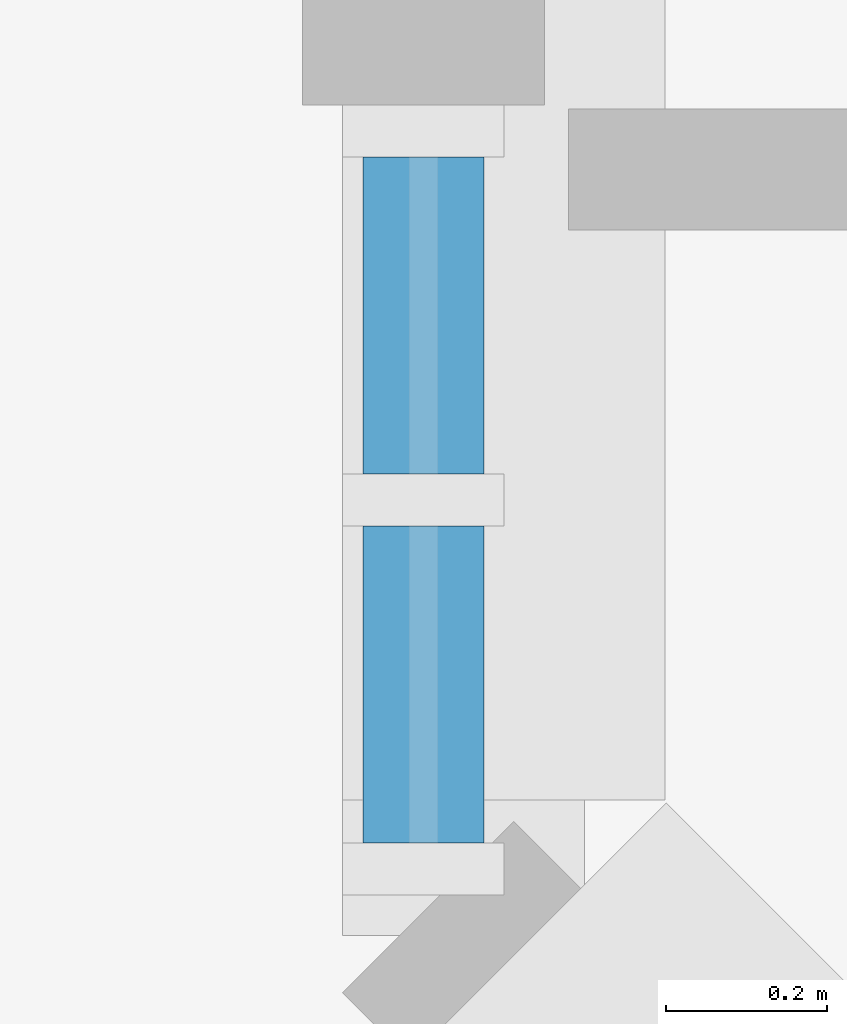
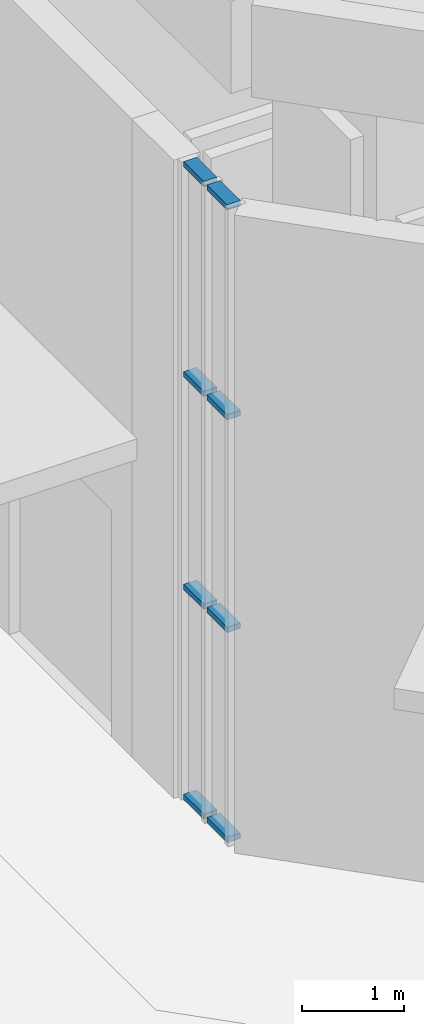
# One storey, part 10 of 51: 8 members, 1 element without a shape of its own.
"""IFC4 building model written with IfcOpenShell, lengths in metres."""

from ifc_helpers import new_model, si_unit, direction, frame, origin, origin_2d, place, context, subcontext, project, spatial, rectangle, extrude, material, material_profile, profile_set, type_object, element, aggregate, save


model = new_model("IFC4")

# Units and contexts
model_context = context("Model", 3, precision=1e-05, world=origin(), true_north=direction((0.0, 1.0)))
body_context = subcontext(model_context, "Body", "Model", "MODEL_VIEW")
ifc_project = project(units=[si_unit("LENGTHUNIT", "METRE"), si_unit("AREAUNIT", "SQUARE_METRE"), si_unit("VOLUMEUNIT", "CUBIC_METRE"), si_unit("PLANEANGLEUNIT", "RADIAN"), si_unit("MASSUNIT", "GRAM", prefix="KILO")], contexts=[model_context])

# Site, building, storey
site_placement = place(None, origin())
site = spatial("IfcSite", under=ifc_project, at=site_placement, CompositionType="ELEMENT")
building_placement = place(site_placement, origin())
building = spatial("IfcBuilding", under=site, at=building_placement, Name="Calabash Gate Tower", CompositionType="ELEMENT")
storey_placement = place(building_placement, origin())
storey = spatial("IfcBuildingStorey", under=building, at=storey_placement, Name="L00", CompositionType="ELEMENT", Elevation=0.0)

# Curtain wall, members
ifc_material_1 = material(Name="Anodised aluminium frame, bronze finish, clear laminated impact-rated glazing", Category="aluminium")
curtain_wall_type = type_object("IfcCurtainWallType", Name="Curtain wall CWF podium shopfront", PredefinedType="NOTDEFINED", material=ifc_material_1)
curtain_wall_placement = place(storey_placement, origin())
curtain_wall = element("IfcCurtainWall", 1, at=curtain_wall_placement, inside=storey, type_object=curtain_wall_type, Name="Curtain wall CWF L00 6.1.0", PredefinedType="NOTDEFINED")
ifc_material_2 = material(Name="Anodised aluminium frame, bronze finish", Category="aluminium")
ifc_material_profile = material_profile(ifc_material_2, rectangle(XDim=0.14990234375, YDim=0.06494140625, at=origin_2d()))
ifc_profile_set = profile_set([ifc_material_profile], Name="Anodised aluminium frame, bronze finish")
member_type = type_object("IfcMemberType", Name="Transom CWF 65x150", PredefinedType="USERDEFINED", material=ifc_profile_set)
member_1_placement = place(storey_placement, frame((-49.89990234375, -39.034912109375, 0.032470703125), z_axis=(0.0, -1.0, 0.0), x_axis=(1.0, 0.0, 0.0)))
member_1 = element("IfcMember", 2, at=member_1_placement, type_object=member_type, Name="CWF transom 1.1", ObjectType="TRANSOM", PredefinedType="USERDEFINED", context=body_context, shape_type="SweptSolid", body=[
    extrude(rectangle(XDim=0.14990234375, YDim=0.06494140625, at=origin_2d()), origin(), (0.0, 0.0, 1.0), 0.392578125),
])
member_2_placement = place(storey_placement, frame((-49.89990234375, -39.034912109375, 2.533447265625), z_axis=(0.0, -1.0, 0.0), x_axis=(1.0, 0.0, 0.0)))
member_2 = element("IfcMember", 3, at=member_2_placement, type_object=member_type, Name="CWF transom 1.2", ObjectType="TRANSOM", PredefinedType="USERDEFINED", context=body_context, shape_type="SweptSolid", body=[
    extrude(rectangle(XDim=0.14990234375, YDim=0.06494140625, at=origin_2d()), origin(), (0.0, 0.0, 1.0), 0.392578125),
])
member_3_placement = place(storey_placement, frame((-49.89990234375, -39.034912109375, 5.066650390625), z_axis=(0.0, -1.0, 0.0), x_axis=(1.0, 0.0, 0.0)))
member_3 = element("IfcMember", 4, at=member_3_placement, type_object=member_type, Name="CWF transom 1.3", ObjectType="TRANSOM", PredefinedType="USERDEFINED", context=body_context, shape_type="SweptSolid", body=[
    extrude(rectangle(XDim=0.14990234375, YDim=0.06494140625, at=origin_2d()), origin(), (0.0, 0.0, 1.0), 0.392578125),
])
member_4_placement = place(storey_placement, frame((-49.89990234375, -39.034912109375, 7.5673828125), z_axis=(0.0, -1.0, 0.0), x_axis=(1.0, 0.0, 0.0)))
member_4 = element("IfcMember", 5, at=member_4_placement, type_object=member_type, Name="CWF transom 1.4", ObjectType="TRANSOM", PredefinedType="USERDEFINED", context=body_context, shape_type="SweptSolid", body=[
    extrude(rectangle(XDim=0.14990234375, YDim=0.06494140625, at=origin_2d()), origin(), (0.0, 0.0, 1.0), 0.392578125),
])
member_5_placement = place(storey_placement, frame((-49.89990234375, -39.492431640625, 0.032470703125), z_axis=(0.0, -1.0, 0.0), x_axis=(1.0, 0.0, 0.0)))
member_5 = element("IfcMember", 6, at=member_5_placement, type_object=member_type, Name="CWF transom 2.1", ObjectType="TRANSOM", PredefinedType="USERDEFINED", context=body_context, shape_type="SweptSolid", body=[
    extrude(rectangle(XDim=0.14990234375, YDim=0.06494140625, at=origin_2d()), origin(), (0.0, 0.0, 1.0), 0.392578125),
])
member_6_placement = place(storey_placement, frame((-49.89990234375, -39.492431640625, 2.533447265625), z_axis=(0.0, -1.0, 0.0), x_axis=(1.0, 0.0, 0.0)))
member_6 = element("IfcMember", 7, at=member_6_placement, type_object=member_type, Name="CWF transom 2.2", ObjectType="TRANSOM", PredefinedType="USERDEFINED", context=body_context, shape_type="SweptSolid", body=[
    extrude(rectangle(XDim=0.14990234375, YDim=0.06494140625, at=origin_2d()), origin(), (0.0, 0.0, 1.0), 0.392578125),
])
member_7_placement = place(storey_placement, frame((-49.89990234375, -39.492431640625, 5.066650390625), z_axis=(0.0, -1.0, 0.0), x_axis=(1.0, 0.0, 0.0)))
member_7 = element("IfcMember", 8, at=member_7_placement, type_object=member_type, Name="CWF transom 2.3", ObjectType="TRANSOM", PredefinedType="USERDEFINED", context=body_context, shape_type="SweptSolid", body=[
    extrude(rectangle(XDim=0.14990234375, YDim=0.06494140625, at=origin_2d()), origin(), (0.0, 0.0, 1.0), 0.392578125),
])
member_8_placement = place(storey_placement, frame((-49.89990234375, -39.492431640625, 7.5673828125), z_axis=(0.0, -1.0, 0.0), x_axis=(1.0, 0.0, 0.0)))
member_8 = element("IfcMember", 9, at=member_8_placement, type_object=member_type, Name="CWF transom 2.4", ObjectType="TRANSOM", PredefinedType="USERDEFINED", context=body_context, shape_type="SweptSolid", body=[
    extrude(rectangle(XDim=0.14990234375, YDim=0.06494140625, at=origin_2d()), origin(), (0.0, 0.0, 1.0), 0.392578125),
])
aggregate(curtain_wall, [member_1, member_2, member_3, member_4, member_5, member_6, member_7, member_8])

save(model, "model.ifc")
